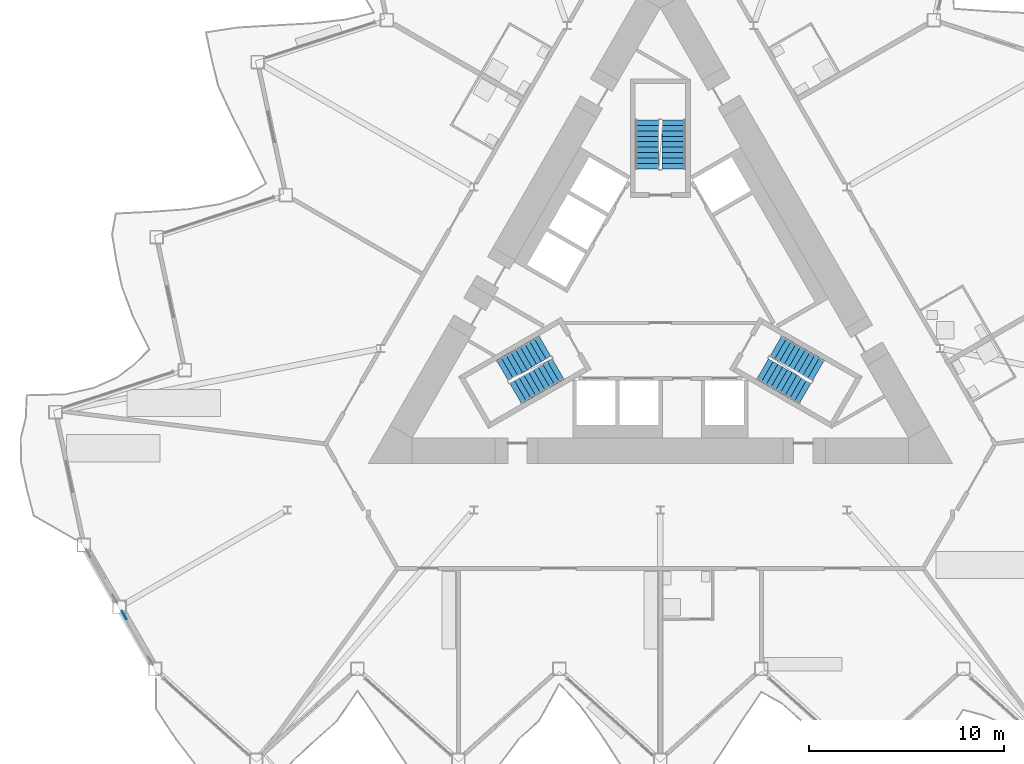
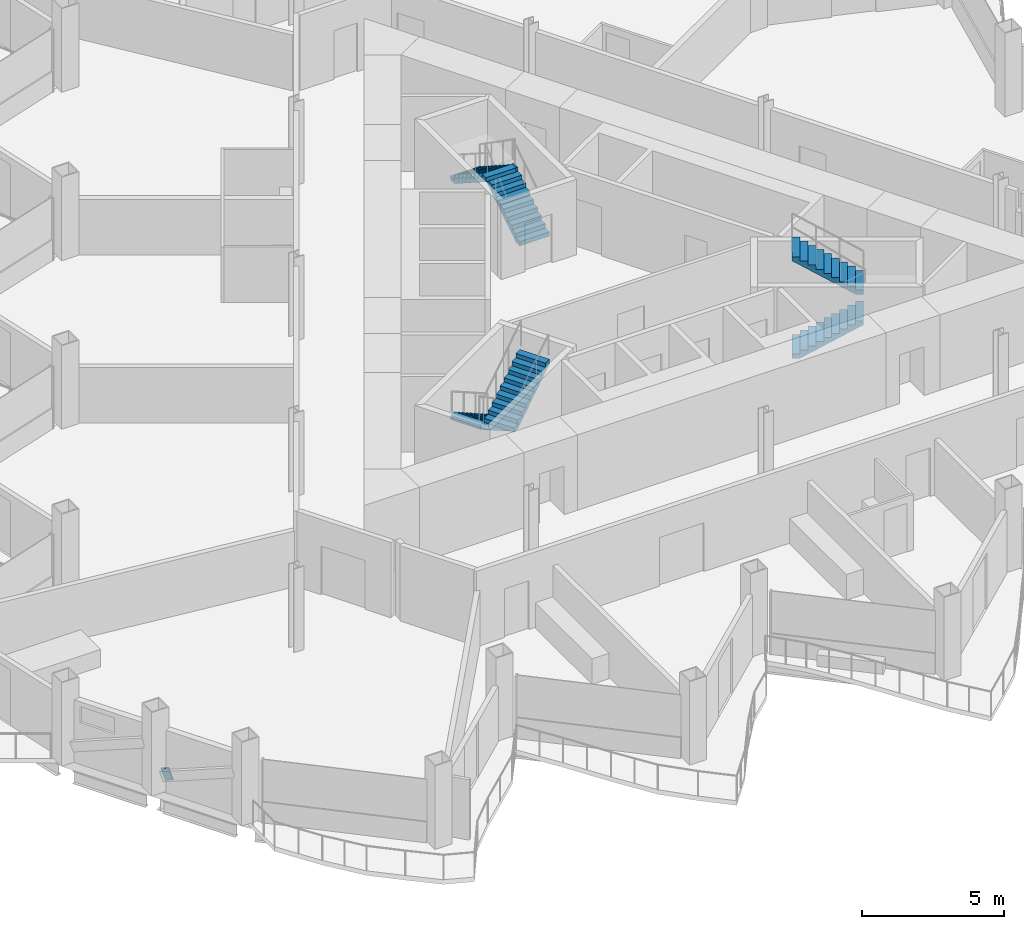
# One storey, part 15 of 24: 6 stair flights, 1 discrete accessory, 3 elements without a shape of their own.
"""IFC4 building model written with IfcOpenShell, lengths in metres."""

from ifc_helpers import new_model, si_unit, direction, frame, origin, origin_2d, place, context, subcontext, project, spatial, polyline, rectangle, outline, extrude, material, material_profile, profile_set, type_object, element, aggregate, save


model = new_model("IFC4")

# Units and contexts
model_context = context("Model", 3, precision=1e-05, world=origin(), true_north=direction((0.0, 1.0)))
body_context = subcontext(model_context, "Body", "Model", "MODEL_VIEW")
ifc_project = project(units=[si_unit("LENGTHUNIT", "METRE"), si_unit("AREAUNIT", "SQUARE_METRE"), si_unit("VOLUMEUNIT", "CUBIC_METRE"), si_unit("PLANEANGLEUNIT", "RADIAN"), si_unit("MASSUNIT", "GRAM", prefix="KILO")], contexts=[model_context])

# Site, building, storey
site_placement = place(None, origin())
site = spatial("IfcSite", under=ifc_project, at=site_placement, CompositionType="ELEMENT")
building_placement = place(site_placement, origin())
building = spatial("IfcBuilding", under=site, at=building_placement, Name="Cormorant Prow Tower", CompositionType="ELEMENT")
storey_placement = place(building_placement, frame((0.0, 0.0, 274.199951171875)))
storey = spatial("IfcBuildingStorey", under=building, at=storey_placement, Name="L62", CompositionType="ELEMENT", Elevation=274.199951171875)

# Stair, stair flights
ifc_material_1 = material(Name="Exit stair 20 risers")
stair_type = type_object("IfcStairType", Name="Exit stair 20 risers", PredefinedType="HALF_TURN_STAIR", material=ifc_material_1)
stair_1_placement = place(storey_placement, origin())
stair_1 = element("IfcStair", 1, at=stair_1_placement, inside=storey, type_object=stair_type, Name="L62 Exit stair ST1", PredefinedType="HALF_TURN_STAIR")
ifc_material_2 = material(Name="Concrete 5000 psi", Category="concrete")
stair_flight_type = type_object("IfcStairFlightType", Name="Stair flight 1219", PredefinedType="STRAIGHT", material=ifc_material_2)
stair_flight_1_placement = place(storey_placement, frame((-5.93310546875, -2.635009765625, 0.0), z_axis=(0.0, 0.0, 1.0), x_axis=(-0.866025403784, -0.5, 0.0)))
stair_flight_1 = element("IfcStairFlight", 2, at=stair_flight_1_placement, type_object=stair_flight_type, Name="ST1 flight 1", NumberOfRisers=10, NumberOfTreads=9, PredefinedType="STRAIGHT", RiserHeight=0.18, TreadLength=0.28, context=body_context, shape_type="SweptSolid", body=[
    extrude(outline(polyline([(0.0, 0.0), (0.0, 0.179931640625), (0.280029296875, 0.179931640625), (0.280029296875, 0.360107421875), (0.56005859375, 0.360107421875), (0.56005859375, 0.5400390625), (0.840087890625, 0.5400390625), (0.840087890625, 0.719970703125), (1.1201171875, 0.719970703125), (1.1201171875, 0.89990234375), (1.39990234375, 0.89990234375), (1.39990234375, 1.080078125), (1.679931640625, 1.080078125), (1.679931640625, 1.260009765625), (1.9599609375, 1.260009765625), (1.9599609375, 1.43994140625), (2.239990234375, 1.43994140625), (2.239990234375, 1.6201171875), (2.52001953125, 1.6201171875), (2.52001953125, 1.800048828125), (2.52001953125, 1.44189453125), (0.277099609375, 0.0), (0.0, 0.0)])), frame((0.0, 0.609375, 0.0), z_axis=(0.0, -1.0, 0.0), x_axis=(1.0, 0.0, 0.0)), (0.0, 0.0, 1.0), 1.218994140625),
])
stair_flight_2_placement = place(storey_placement, frame((-7.43115234375, -5.080810546875, 1.800048828125), z_axis=(0.0, 0.0, 1.0), x_axis=(0.866025403784, 0.5, 0.0)))
stair_flight_2 = element("IfcStairFlight", 3, at=stair_flight_2_placement, type_object=stair_flight_type, Name="ST1 flight 2", NumberOfRisers=10, NumberOfTreads=9, PredefinedType="STRAIGHT", RiserHeight=0.18, TreadLength=0.28, context=body_context, shape_type="SweptSolid", body=[
    extrude(outline(polyline([(0.0, 0.0), (0.0, 0.179931640625), (0.280029296875, 0.179931640625), (0.280029296875, 0.360107421875), (0.56005859375, 0.360107421875), (0.56005859375, 0.5400390625), (0.840087890625, 0.5400390625), (0.840087890625, 0.719970703125), (1.1201171875, 0.719970703125), (1.1201171875, 0.89990234375), (1.39990234375, 0.89990234375), (1.39990234375, 1.080078125), (1.679931640625, 1.080078125), (1.679931640625, 1.260009765625), (1.9599609375, 1.260009765625), (1.9599609375, 1.43994140625), (2.239990234375, 1.43994140625), (2.239990234375, 1.6201171875), (2.52001953125, 1.6201171875), (2.52001953125, 1.800048828125), (2.52001953125, 1.44189453125), (0.277099609375, 0.0), (0.0, 0.0)])), frame((0.0, 0.609375, 0.0), z_axis=(0.0, -1.0, 0.0), x_axis=(1.0, 0.0, 0.0)), (0.0, 0.0, 1.0), 1.218994140625),
])
aggregate(stair_1, [stair_flight_1, stair_flight_2])

stair_2_placement = place(storey_placement, origin())
stair_2 = element("IfcStair", 4, at=stair_2_placement, inside=storey, type_object=stair_type, Name="L62 Exit stair ST2", PredefinedType="HALF_TURN_STAIR")
stair_flight_3_placement = place(storey_placement, frame((5.24853515625, -3.82080078125, 0.0), z_axis=(0.0, 0.0, 1.0), x_axis=(0.866025403784, -0.5, 0.0)))
stair_flight_3 = element("IfcStairFlight", 5, at=stair_flight_3_placement, type_object=stair_flight_type, Name="ST2 flight 1", NumberOfRisers=10, NumberOfTreads=9, PredefinedType="STRAIGHT", RiserHeight=0.18, TreadLength=0.28, context=body_context, shape_type="SweptSolid", body=[
    extrude(outline(polyline([(0.0, 0.0), (0.0, 0.179931640625), (0.280029296875, 0.179931640625), (0.280029296875, 0.360107421875), (0.56005859375, 0.360107421875), (0.56005859375, 0.5400390625), (0.840087890625, 0.5400390625), (0.840087890625, 0.719970703125), (1.1201171875, 0.719970703125), (1.1201171875, 0.89990234375), (1.39990234375, 0.89990234375), (1.39990234375, 1.080078125), (1.679931640625, 1.080078125), (1.679931640625, 1.260009765625), (1.9599609375, 1.260009765625), (1.9599609375, 1.43994140625), (2.239990234375, 1.43994140625), (2.239990234375, 1.6201171875), (2.52001953125, 1.6201171875), (2.52001953125, 1.800048828125), (2.52001953125, 1.44189453125), (0.277099609375, 0.0), (0.0, 0.0)])), frame((0.0, 0.609375, 0.0), z_axis=(0.0, -1.0, 0.0), x_axis=(1.0, 0.0, 0.0)), (0.0, 0.0, 1.0), 1.218994140625),
])
stair_flight_4_placement = place(storey_placement, frame((8.115478515625, -3.89501953125, 1.800048828125), z_axis=(0.0, 0.0, 1.0), x_axis=(-0.866025403784, 0.5, 0.0)))
stair_flight_4 = element("IfcStairFlight", 6, at=stair_flight_4_placement, type_object=stair_flight_type, Name="ST2 flight 2", NumberOfRisers=10, NumberOfTreads=9, PredefinedType="STRAIGHT", RiserHeight=0.18, TreadLength=0.28, context=body_context, shape_type="SweptSolid", body=[
    extrude(outline(polyline([(0.0, 0.0), (0.0, 0.179931640625), (0.280029296875, 0.179931640625), (0.280029296875, 0.360107421875), (0.56005859375, 0.360107421875), (0.56005859375, 0.5400390625), (0.840087890625, 0.5400390625), (0.840087890625, 0.719970703125), (1.1201171875, 0.719970703125), (1.1201171875, 0.89990234375), (1.39990234375, 0.89990234375), (1.39990234375, 1.080078125), (1.679931640625, 1.080078125), (1.679931640625, 1.260009765625), (1.9599609375, 1.260009765625), (1.9599609375, 1.43994140625), (2.239990234375, 1.43994140625), (2.239990234375, 1.6201171875), (2.52001953125, 1.6201171875), (2.52001953125, 1.800048828125), (2.52001953125, 1.44189453125), (0.277099609375, 0.0), (0.0, 0.0)])), frame((0.0, 0.609375, 0.0), z_axis=(0.0, -1.0, 0.0), x_axis=(1.0, 0.0, 0.0)), (0.0, 0.0, 1.0), 1.218994140625),
])
aggregate(stair_2, [stair_flight_3, stair_flight_4])

stair_3_placement = place(storey_placement, origin())
stair_3 = element("IfcStair", 7, at=stair_3_placement, inside=storey, type_object=stair_type, Name="L62 Exit stair ST3", PredefinedType="HALF_TURN_STAIR")
stair_flight_5_placement = place(storey_placement, frame((0.6845703125, 6.455810546875, 0.0), z_axis=(0.0, 0.0, 1.0), x_axis=(0.0, 1.0, 0.0)))
stair_flight_5 = element("IfcStairFlight", 8, at=stair_flight_5_placement, type_object=stair_flight_type, Name="ST3 flight 1", NumberOfRisers=10, NumberOfTreads=9, PredefinedType="STRAIGHT", RiserHeight=0.18, TreadLength=0.28, context=body_context, shape_type="SweptSolid", body=[
    extrude(outline(polyline([(0.0, 0.0), (0.0, 0.179931640625), (0.280029296875, 0.179931640625), (0.280029296875, 0.360107421875), (0.56005859375, 0.360107421875), (0.56005859375, 0.5400390625), (0.840087890625, 0.5400390625), (0.840087890625, 0.719970703125), (1.1201171875, 0.719970703125), (1.1201171875, 0.89990234375), (1.39990234375, 0.89990234375), (1.39990234375, 1.080078125), (1.679931640625, 1.080078125), (1.679931640625, 1.260009765625), (1.9599609375, 1.260009765625), (1.9599609375, 1.43994140625), (2.239990234375, 1.43994140625), (2.239990234375, 1.6201171875), (2.52001953125, 1.6201171875), (2.52001953125, 1.800048828125), (2.52001953125, 1.44189453125), (0.277099609375, 0.0), (0.0, 0.0)])), frame((0.0, 0.609375, 0.0), z_axis=(0.0, -1.0, 0.0), x_axis=(1.0, 0.0, 0.0)), (0.0, 0.0, 1.0), 1.218994140625),
])
stair_flight_6_placement = place(storey_placement, frame((-0.6845703125, 8.975830078125, 1.800048828125), z_axis=(0.0, 0.0, 1.0), x_axis=(0.0, -1.0, 0.0)))
stair_flight_6 = element("IfcStairFlight", 9, at=stair_flight_6_placement, type_object=stair_flight_type, Name="ST3 flight 2", NumberOfRisers=10, NumberOfTreads=9, PredefinedType="STRAIGHT", RiserHeight=0.18, TreadLength=0.28, context=body_context, shape_type="SweptSolid", body=[
    extrude(outline(polyline([(0.0, 0.0), (0.0, 0.179931640625), (0.280029296875, 0.179931640625), (0.280029296875, 0.360107421875), (0.56005859375, 0.360107421875), (0.56005859375, 0.5400390625), (0.840087890625, 0.5400390625), (0.840087890625, 0.719970703125), (1.1201171875, 0.719970703125), (1.1201171875, 0.89990234375), (1.39990234375, 0.89990234375), (1.39990234375, 1.080078125), (1.679931640625, 1.080078125), (1.679931640625, 1.260009765625), (1.9599609375, 1.260009765625), (1.9599609375, 1.43994140625), (2.239990234375, 1.43994140625), (2.239990234375, 1.6201171875), (2.52001953125, 1.6201171875), (2.52001953125, 1.800048828125), (2.52001953125, 1.44189453125), (0.277099609375, 0.0), (0.0, 0.0)])), frame((0.0, 0.609375, 0.0), z_axis=(0.0, -1.0, 0.0), x_axis=(1.0, 0.0, 0.0)), (0.0, 0.0, 1.0), 1.218994140625),
])
aggregate(stair_3, [stair_flight_5, stair_flight_6])

# Discrete accessory
ifc_material_3 = material(Name="Structural steel ASTM A500 Gr C", Category="steel")
ifc_material_profile = material_profile(ifc_material_3, rectangle(XDim=0.031982421875, YDim=0.506103515625, at=origin_2d()), Name="Gusset plate 32x506")
ifc_profile_set = profile_set([ifc_material_profile], Name="Structural steel ASTM A500 Gr C")
discrete_accessory_type = type_object("IfcDiscreteAccessoryType", Name="Gusset plate 32x506", PredefinedType="BRACKET", material=ifc_profile_set)
discrete_accessory_placement = place(storey_placement, frame((-27.454833984375, -16.59375, 0.863037109375), z_axis=(-0.46266066689, 0.801805590131, -0.37822335061), x_axis=(-0.866147934042, -0.499787711288, 0.0)))
element("IfcDiscreteAccessory", 10, at=discrete_accessory_placement, inside=storey, type_object=discrete_accessory_type, Name="Gusset plate GP2 L62.WSW01.g0", PredefinedType="BRACKET", context=body_context, shape_type="SweptSolid", body=[
    extrude(rectangle(XDim=0.031982421875, YDim=0.506103515625, at=origin_2d()), origin(), (0.0, 0.0, 1.0), 0.349853515625),
])

save(model, "model.ifc")
